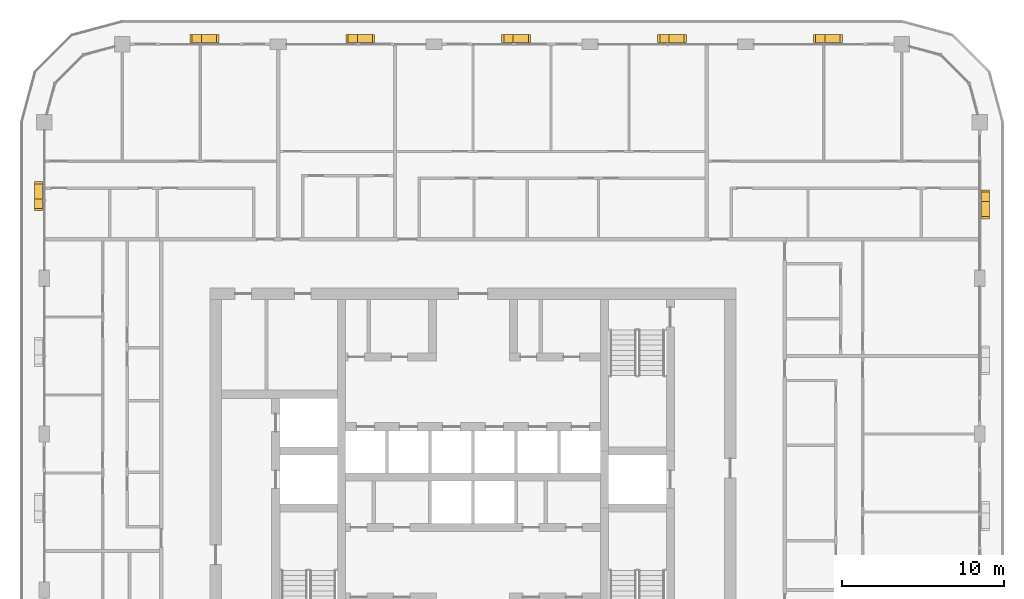
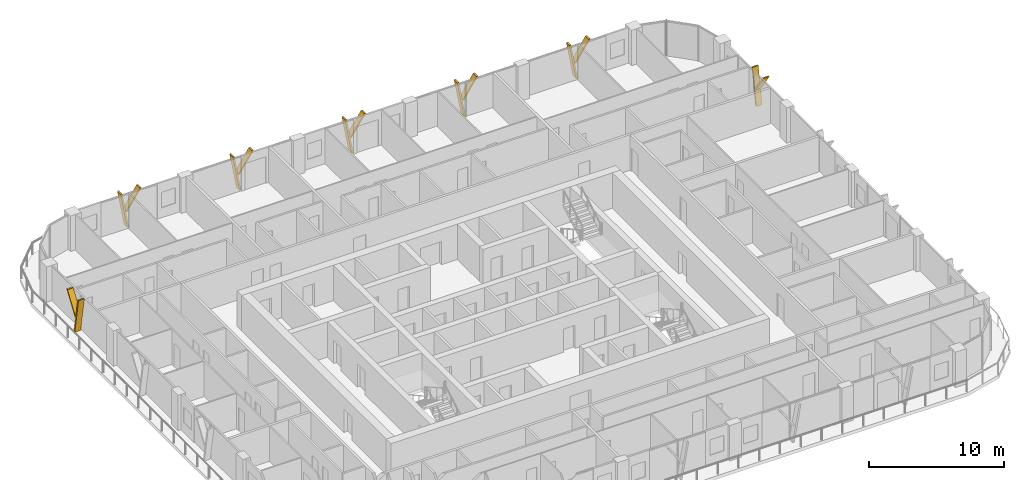
# One storey, part 23 of 23: 14 shading devices.
"""IFC4 building model written with IfcOpenShell, lengths in metres."""

from ifc_helpers import new_model, si_unit, direction, frame, origin, place, context, subcontext, project, spatial, polyline, outline, extrude, material, type_object, element, save


model = new_model("IFC4")

# Units and contexts
model_context = context("Model", 3, precision=1e-05, world=origin(), true_north=direction((0.0, 1.0)))
body_context = subcontext(model_context, "Body", "Model", "MODEL_VIEW")
ifc_project = project(units=[si_unit("LENGTHUNIT", "METRE"), si_unit("AREAUNIT", "SQUARE_METRE"), si_unit("VOLUMEUNIT", "CUBIC_METRE"), si_unit("PLANEANGLEUNIT", "RADIAN"), si_unit("MASSUNIT", "GRAM", prefix="KILO")], contexts=[model_context])

# Site, building, storey
site_placement = place(None, origin())
site = spatial("IfcSite", under=ifc_project, at=site_placement, CompositionType="ELEMENT")
building_placement = place(site_placement, origin())
building = spatial("IfcBuilding", under=site, at=building_placement, Name="Madar Terraces", CompositionType="ELEMENT")
storey_placement = place(building_placement, frame((0.0, 0.0, 222.800048828125)))
storey = spatial("IfcBuildingStorey", under=building, at=storey_placement, Name="L58", CompositionType="ELEMENT", Elevation=222.800048828125)

# Shading devices
ifc_material = material(Name="Aluminium, black anodised", Category="aluminium")
shading_device_type = type_object("IfcShadingDeviceType", Name="Facade fin blade 140 x 500", PredefinedType="USERDEFINED", material=ifc_material)
shading_device_1_placement = place(storey_placement, frame((62.75, 43.1298828125, 0.0), z_axis=(0.0, 0.0, 1.0), x_axis=(0.0, 1.0, 0.0)))
element("IfcShadingDevice", 1, at=shading_device_1_placement, inside=storey, type_object=shading_device_type, Name="FIN L58 E4", ObjectType="FIN", PredefinedType="USERDEFINED", context=body_context, shape_type="SweptSolid", body=[
    extrude(outline(polyline([(0.0, 0.0), (0.14013671875, 0.0), (0.704345703125, 3.199951171875), (0.564208984375, 3.199951171875), (0.0, 0.0)])), frame((0.0, 0.25, 0.0), z_axis=(0.0, -1.0, 0.0), x_axis=(1.0, 0.0, 0.0)), (0.0, 0.0, 1.0), 0.5),
])
shading_device_2_placement = place(storey_placement, frame((62.75, 43.243896484375, 1.43994140625), z_axis=(0.0, 0.0, 1.0), x_axis=(0.0, 1.0, 0.0)))
element("IfcShadingDevice", 2, at=shading_device_2_placement, inside=storey, type_object=shading_device_type, Name="FIN L58 E4 branch", ObjectType="FIN", PredefinedType="USERDEFINED", context=body_context, shape_type="SweptSolid", body=[
    extrude(outline(polyline([(0.0, 0.0), (0.139892578125, 0.0), (-1.049560546875, 1.760009765625), (-1.189697265625, 1.760009765625), (0.0, 0.0)])), frame((0.0, 0.25, 0.0), z_axis=(0.0, -1.0, 0.0), x_axis=(1.0, 0.0, 0.0)), (0.0, 0.0, 1.0), 0.5),
])
shading_device_3_placement = place(storey_placement, frame((52.8701171875, 53.14990234375, 0.0), z_axis=(0.0, 0.0, 1.0), x_axis=(-1.0, 0.0, 0.0)))
element("IfcShadingDevice", 3, at=shading_device_3_placement, inside=storey, type_object=shading_device_type, Name="FIN L58 N1", ObjectType="FIN", PredefinedType="USERDEFINED", context=body_context, shape_type="SweptSolid", body=[
    extrude(outline(polyline([(0.0, 0.0), (0.14013671875, 0.0), (0.704345703125, 3.199951171875), (0.564208984375, 3.199951171875), (0.0, 0.0)])), frame((0.0, 0.25, 0.0), z_axis=(0.0, -1.0, 0.0), x_axis=(1.0, 0.0, 0.0)), (0.0, 0.0, 1.0), 0.5),
])
shading_device_4_placement = place(storey_placement, frame((52.756103515625, 53.14990234375, 1.43994140625), z_axis=(0.0, 0.0, 1.0), x_axis=(-1.0, 0.0, 0.0)))
element("IfcShadingDevice", 4, at=shading_device_4_placement, inside=storey, type_object=shading_device_type, Name="FIN L58 N1 branch", ObjectType="FIN", PredefinedType="USERDEFINED", context=body_context, shape_type="SweptSolid", body=[
    extrude(outline(polyline([(0.0, 0.0), (0.139892578125, 0.0), (-1.049560546875, 1.760009765625), (-1.189697265625, 1.760009765625), (0.0, 0.0)])), frame((0.0, 0.25, 0.0), z_axis=(0.0, -1.0, 0.0), x_axis=(1.0, 0.0, 0.0)), (0.0, 0.0, 1.0), 0.5),
])
shading_device_5_placement = place(storey_placement, frame((43.27001953125, 53.14990234375, 0.0), z_axis=(0.0, 0.0, 1.0), x_axis=(-1.0, 0.0, 0.0)))
element("IfcShadingDevice", 5, at=shading_device_5_placement, inside=storey, type_object=shading_device_type, Name="FIN L58 N2", ObjectType="FIN", PredefinedType="USERDEFINED", context=body_context, shape_type="SweptSolid", body=[
    extrude(outline(polyline([(0.0, 0.0), (0.14013671875, 0.0), (0.704345703125, 3.199951171875), (0.564208984375, 3.199951171875), (0.0, 0.0)])), frame((0.0, 0.25, 0.0), z_axis=(0.0, -1.0, 0.0), x_axis=(1.0, 0.0, 0.0)), (0.0, 0.0, 1.0), 0.5),
])
shading_device_6_placement = place(storey_placement, frame((43.156005859375, 53.14990234375, 1.43994140625), z_axis=(0.0, 0.0, 1.0), x_axis=(-1.0, 0.0, 0.0)))
element("IfcShadingDevice", 6, at=shading_device_6_placement, inside=storey, type_object=shading_device_type, Name="FIN L58 N2 branch", ObjectType="FIN", PredefinedType="USERDEFINED", context=body_context, shape_type="SweptSolid", body=[
    extrude(outline(polyline([(0.0, 0.0), (0.139892578125, 0.0), (-1.049560546875, 1.760009765625), (-1.189697265625, 1.760009765625), (0.0, 0.0)])), frame((0.0, 0.25, 0.0), z_axis=(0.0, -1.0, 0.0), x_axis=(1.0, 0.0, 0.0)), (0.0, 0.0, 1.0), 0.5),
])
shading_device_7_placement = place(storey_placement, frame((33.669921875, 53.14990234375, 0.0), z_axis=(0.0, 0.0, 1.0), x_axis=(-1.0, 0.0, 0.0)))
element("IfcShadingDevice", 7, at=shading_device_7_placement, inside=storey, type_object=shading_device_type, Name="FIN L58 N3", ObjectType="FIN", PredefinedType="USERDEFINED", context=body_context, shape_type="SweptSolid", body=[
    extrude(outline(polyline([(0.0, 0.0), (0.139892578125, 0.0), (0.704345703125, 3.199951171875), (0.564208984375, 3.199951171875), (0.0, 0.0)])), frame((0.0, 0.25, 0.0), z_axis=(0.0, -1.0, 0.0), x_axis=(1.0, 0.0, 0.0)), (0.0, 0.0, 1.0), 0.5),
])
shading_device_8_placement = place(storey_placement, frame((33.55615234375, 53.14990234375, 1.43994140625), z_axis=(0.0, 0.0, 1.0), x_axis=(-1.0, 0.0, 0.0)))
element("IfcShadingDevice", 8, at=shading_device_8_placement, inside=storey, type_object=shading_device_type, Name="FIN L58 N3 branch", ObjectType="FIN", PredefinedType="USERDEFINED", context=body_context, shape_type="SweptSolid", body=[
    extrude(outline(polyline([(0.0, 0.0), (0.14013671875, 0.0), (-1.049560546875, 1.760009765625), (-1.189697265625, 1.760009765625), (0.0, 0.0)])), frame((0.0, 0.25, 0.0), z_axis=(0.0, -1.0, 0.0), x_axis=(1.0, 0.0, 0.0)), (0.0, 0.0, 1.0), 0.5),
])
shading_device_9_placement = place(storey_placement, frame((24.070068359375, 53.14990234375, 0.0), z_axis=(0.0, 0.0, 1.0), x_axis=(-1.0, 0.0, 0.0)))
element("IfcShadingDevice", 9, at=shading_device_9_placement, inside=storey, type_object=shading_device_type, Name="FIN L58 N4", ObjectType="FIN", PredefinedType="USERDEFINED", context=body_context, shape_type="SweptSolid", body=[
    extrude(outline(polyline([(0.0, 0.0), (0.14013671875, 0.0), (0.704345703125, 3.199951171875), (0.564208984375, 3.199951171875), (0.0, 0.0)])), frame((0.0, 0.25, 0.0), z_axis=(0.0, -1.0, 0.0), x_axis=(1.0, 0.0, 0.0)), (0.0, 0.0, 1.0), 0.5),
])
shading_device_10_placement = place(storey_placement, frame((23.9560546875, 53.14990234375, 1.43994140625), z_axis=(0.0, 0.0, 1.0), x_axis=(-1.0, 0.0, 0.0)))
element("IfcShadingDevice", 10, at=shading_device_10_placement, inside=storey, type_object=shading_device_type, Name="FIN L58 N4 branch", ObjectType="FIN", PredefinedType="USERDEFINED", context=body_context, shape_type="SweptSolid", body=[
    extrude(outline(polyline([(0.0, 0.0), (0.139892578125, 0.0), (-1.049560546875, 1.760009765625), (-1.189697265625, 1.760009765625), (0.0, 0.0)])), frame((0.0, 0.25, 0.0), z_axis=(0.0, -1.0, 0.0), x_axis=(1.0, 0.0, 0.0)), (0.0, 0.0, 1.0), 0.5),
])
shading_device_11_placement = place(storey_placement, frame((14.469970703125, 53.14990234375, 0.0), z_axis=(0.0, 0.0, 1.0), x_axis=(-1.0, 0.0, 0.0)))
element("IfcShadingDevice", 11, at=shading_device_11_placement, inside=storey, type_object=shading_device_type, Name="FIN L58 N5", ObjectType="FIN", PredefinedType="USERDEFINED", context=body_context, shape_type="SweptSolid", body=[
    extrude(outline(polyline([(0.0, 0.0), (0.139892578125, 0.0), (0.704345703125, 3.199951171875), (0.564208984375, 3.199951171875), (0.0, 0.0)])), frame((0.0, 0.25, 0.0), z_axis=(0.0, -1.0, 0.0), x_axis=(1.0, 0.0, 0.0)), (0.0, 0.0, 1.0), 0.5),
])
shading_device_12_placement = place(storey_placement, frame((14.356201171875, 53.14990234375, 1.43994140625), z_axis=(0.0, 0.0, 1.0), x_axis=(-1.0, 0.0, 0.0)))
element("IfcShadingDevice", 12, at=shading_device_12_placement, inside=storey, type_object=shading_device_type, Name="FIN L58 N5 branch", ObjectType="FIN", PredefinedType="USERDEFINED", context=body_context, shape_type="SweptSolid", body=[
    extrude(outline(polyline([(0.0, 0.0), (0.14013671875, 0.0), (-1.049560546875, 1.760009765625), (-1.189697265625, 1.760009765625), (0.0, 0.0)])), frame((0.0, 0.25, 0.0), z_axis=(0.0, -1.0, 0.0), x_axis=(1.0, 0.0, 0.0)), (0.0, 0.0, 1.0), 0.5),
])
shading_device_13_placement = place(storey_placement, frame((4.449951171875, 43.27001953125, 0.0), z_axis=(0.0, 0.0, 1.0), x_axis=(0.0, -1.0, 0.0)))
element("IfcShadingDevice", 13, at=shading_device_13_placement, inside=storey, type_object=shading_device_type, Name="FIN L58 W1", ObjectType="FIN", PredefinedType="USERDEFINED", context=body_context, shape_type="SweptSolid", body=[
    extrude(outline(polyline([(0.0, 0.0), (0.14013671875, 0.0), (0.704345703125, 3.199951171875), (0.564208984375, 3.199951171875), (0.0, 0.0)])), frame((0.0, 0.25, 0.0), z_axis=(0.0, -1.0, 0.0), x_axis=(1.0, 0.0, 0.0)), (0.0, 0.0, 1.0), 0.5),
])
shading_device_14_placement = place(storey_placement, frame((4.449951171875, 43.156005859375, 1.43994140625), z_axis=(0.0, 0.0, 1.0), x_axis=(0.0, -1.0, 0.0)))
element("IfcShadingDevice", 14, at=shading_device_14_placement, inside=storey, type_object=shading_device_type, Name="FIN L58 W1 branch", ObjectType="FIN", PredefinedType="USERDEFINED", context=body_context, shape_type="SweptSolid", body=[
    extrude(outline(polyline([(0.0, 0.0), (0.139892578125, 0.0), (-1.049560546875, 1.760009765625), (-1.189697265625, 1.760009765625), (0.0, 0.0)])), frame((0.0, 0.25, 0.0), z_axis=(0.0, -1.0, 0.0), x_axis=(1.0, 0.0, 0.0)), (0.0, 0.0, 1.0), 0.5),
])

save(model, "model.ifc")
